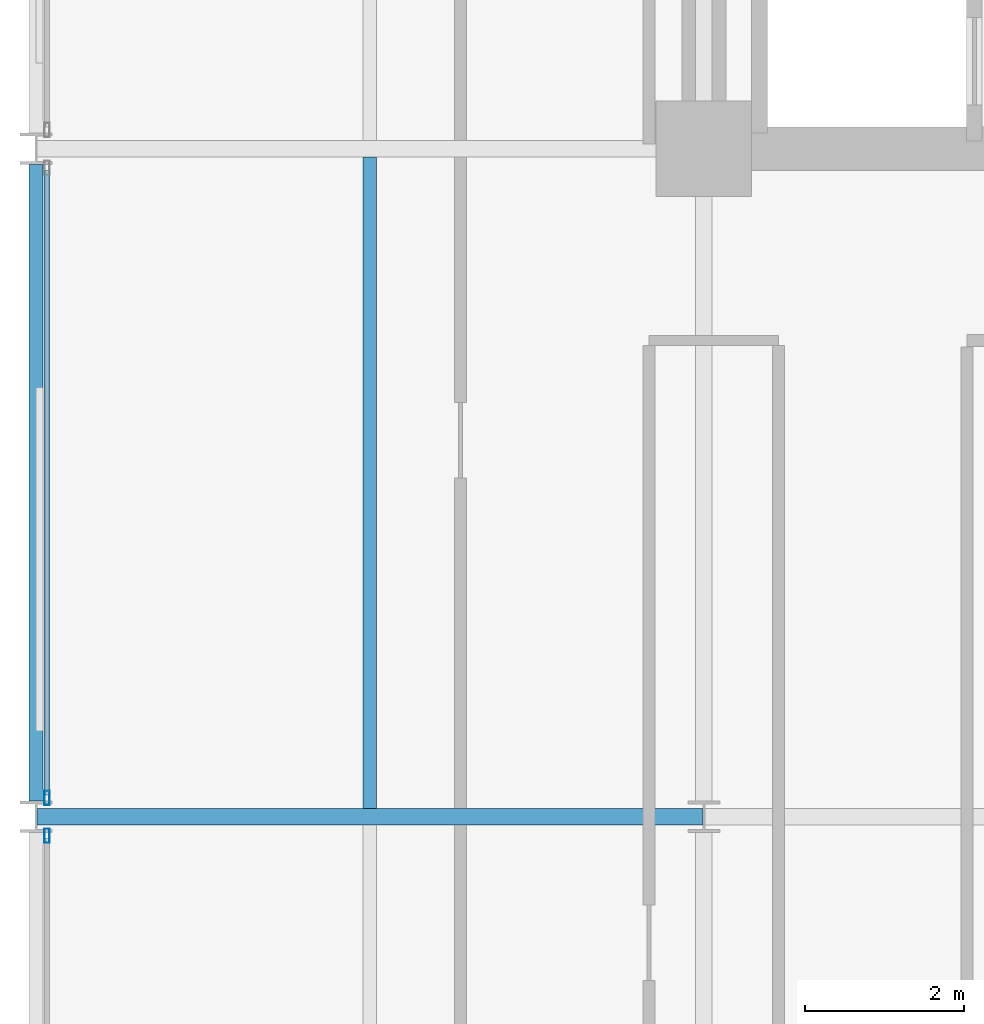
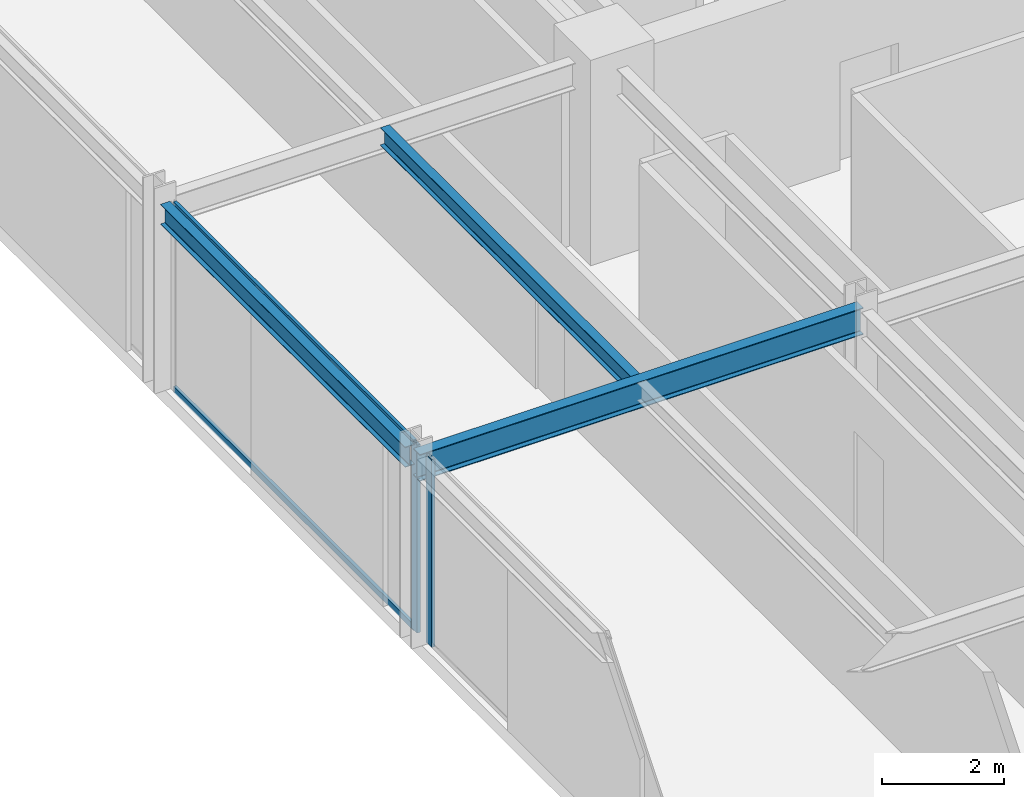
# One storey, part 8 of 29: 4 members, 3 beams, 2 elements without a shape of their own.
"""IFC4 building model written with IfcOpenShell, lengths in metres."""

from ifc_helpers import new_model, si_unit, direction, frame, origin, origin_2d, place, context, subcontext, project, spatial, hollow_rectangle, i_section, extrude, material, layer, layer_set, material_profile, profile_set, type_object, element, aggregate, save


model = new_model("IFC4")

# Units and contexts
model_context = context("Model", 3, precision=1e-05, world=origin(), true_north=direction((0.0, 1.0)))
body_context = subcontext(model_context, "Body", "Model", "MODEL_VIEW")
ifc_project = project(units=[si_unit("LENGTHUNIT", "METRE"), si_unit("AREAUNIT", "SQUARE_METRE"), si_unit("VOLUMEUNIT", "CUBIC_METRE"), si_unit("PLANEANGLEUNIT", "RADIAN"), si_unit("MASSUNIT", "GRAM", prefix="KILO")], contexts=[model_context])

# Site, building, storey
site_placement = place(None, origin())
site = spatial("IfcSite", under=ifc_project, at=site_placement, CompositionType="ELEMENT")
building_placement = place(site_placement, origin())
building = spatial("IfcBuilding", under=site, at=building_placement, Name="Nerrivon Quay Data Exchange", CompositionType="ELEMENT")
storey_placement = place(building_placement, frame((0.0, 0.0, 158.199951171875)))
storey = spatial("IfcBuildingStorey", under=building, at=storey_placement, Name="L37", CompositionType="ELEMENT", Elevation=158.199951171875)

# Beams
ifc_material_1 = material(Name="Steel Grade 350", Category="steel")
ifc_material_profile_1 = material_profile(ifc_material_1, i_section(OverallWidth=0.208984375, OverallDepth=0.532958984375, WebThickness=0.01025390625, FlangeThickness=0.015625, FilletRadius=0.013916015625, at=origin_2d()), Name="530UB92.4")
ifc_profile_set_1 = profile_set([ifc_material_profile_1], Name="Steel Grade 350")
beam_type_1 = type_object("IfcBeamType", Name="BM-G3-530UB92", PredefinedType="BEAM", material=ifc_profile_set_1)
beam_1_placement = place(storey_placement, frame((0.012451171875, 16.800048828125, 3.483642578125), z_axis=(1.0, 0.0, 0.0), x_axis=(0.0, 1.0, 0.0)))
element("IfcBeam", 1, at=beam_1_placement, inside=storey, type_object=beam_type_1, Name="L37 EW Girder Y=16.8 (0.0..8.4)", PredefinedType="BEAM", context=body_context, shape_type="SweptSolid", body=[
    extrude(i_section(OverallWidth=0.208984375, OverallDepth=0.532958984375, WebThickness=0.01025390625, FlangeThickness=0.015625, FilletRadius=0.013916015625, at=origin_2d()), origin(), (0.0, 0.0, 1.0), 8.375),
])
ifc_material_profile_2 = material_profile(ifc_material_1, i_section(OverallWidth=0.1708984375, OverallDepth=0.35595703125, WebThickness=0.00732421875, FlangeThickness=0.011474609375, FilletRadius=0.011474609375, at=origin_2d()), Name="360UB50.7")
ifc_profile_set_2 = profile_set([ifc_material_profile_2], Name="Steel Grade 350")
beam_type_2 = type_object("IfcBeamType", Name="BM-J4-360UB51", PredefinedType="JOIST", material=ifc_profile_set_2)
beam_2_placement = place(storey_placement, frame((4.199951171875, 16.904541015625, 3.572021484375), z_axis=(0.0, 1.0, 0.0), x_axis=(-1.0, 0.0, 0.0)))
element("IfcBeam", 2, at=beam_2_placement, inside=storey, type_object=beam_type_2, Name="L37 Secondary Joist X=4.2 (16.8..25.2)", PredefinedType="JOIST", context=body_context, shape_type="SweptSolid", body=[
    extrude(i_section(OverallWidth=0.1708984375, OverallDepth=0.35595703125, WebThickness=0.00732421875, FlangeThickness=0.011474609375, FilletRadius=0.011474609375, at=origin_2d()), origin(), (0.0, 0.0, 1.0), 8.19091796875),
])
ifc_material_profile_3 = material_profile(ifc_material_1, i_section(OverallWidth=0.177978515625, OverallDepth=0.403076171875, WebThickness=0.007568359375, FlangeThickness=0.010986328125, FilletRadius=0.011474609375, at=origin_2d()), Name="410UB53.7")
ifc_profile_set_3 = profile_set([ifc_material_profile_3], Name="Steel Grade 350")
beam_type_3 = type_object("IfcBeamType", Name="BM-SP2-410UB54", PredefinedType="SPANDREL", material=ifc_profile_set_3)
beam_3_placement = place(storey_placement, frame((0.0, 17.0, 3.548583984375), z_axis=(0.0, 1.0, 0.0), x_axis=(-1.0, 0.0, 0.0)))
element("IfcBeam", 3, at=beam_3_placement, inside=storey, type_object=beam_type_3, Name="L37 NS Girder X=0.0 (16.8..25.2)", PredefinedType="SPANDREL", context=body_context, shape_type="SweptSolid", body=[
    extrude(i_section(OverallWidth=0.177978515625, OverallDepth=0.403076171875, WebThickness=0.007568359375, FlangeThickness=0.010986328125, FilletRadius=0.011474609375, at=origin_2d()), origin(), (0.0, 0.0, 1.0), 8.0),
])

# Curtain wall, member
ifc_material_2 = material(Name="Anodised aluminium 6063-T6", Category="aluminium")
ifc_layer = layer(ifc_material_2, 0.2099609375)
ifc_layer_set = layer_set([ifc_layer], Name="Anodised aluminium 6063-T6")
curtain_wall_type = type_object("IfcCurtainWallType", Name="CW-SYS-02", PredefinedType="NOTDEFINED", material=ifc_layer_set)
curtain_wall_1_placement = place(storey_placement, origin())
curtain_wall_1 = element("IfcCurtainWall", 4, at=curtain_wall_1_placement, inside=storey, type_object=curtain_wall_type, Name="L37 Unitised Curtain Wall 12", PredefinedType="NOTDEFINED")
ifc_material_profile_4 = material_profile(ifc_material_2, hollow_rectangle(XDim=0.06494140625, YDim=0.179931640625, WallThickness=0.00341796875, at=origin_2d()), Name="ALU-MULL-180x65")
ifc_profile_set_4 = profile_set([ifc_material_profile_4], Name="Anodised aluminium 6063-T6")
member_type_1 = type_object("IfcMemberType", Name="CWM-180x65", PredefinedType="MULLION", material=ifc_profile_set_4)
member_1_placement = place(storey_placement, frame((0.139892578125, 16.5625, 0.0), z_axis=(0.0, 0.0, 1.0), x_axis=(-1.0, 0.0, 0.0)))
member_1 = element("IfcMember", 5, at=member_1_placement, type_object=member_type_1, Name="CW02 mullion 2", PredefinedType="MULLION", context=body_context, shape_type="SweptSolid", body=[
    extrude(hollow_rectangle(XDim=0.06494140625, YDim=0.179931640625, WallThickness=0.00341796875, at=origin_2d()), origin(), (0.0, 0.0, 1.0), 3.75),
])
aggregate(curtain_wall_1, [member_1])

# Curtain wall, members
curtain_wall_2_placement = place(storey_placement, origin())
curtain_wall_2 = element("IfcCurtainWall", 6, at=curtain_wall_2_placement, inside=storey, type_object=curtain_wall_type, Name="L37 Unitised Curtain Wall 13", PredefinedType="NOTDEFINED")
member_2_placement = place(storey_placement, frame((0.139892578125, 17.03759765625, 0.0), z_axis=(0.0, 0.0, 1.0), x_axis=(-1.0, 0.0, 0.0)))
member_2 = element("IfcMember", 7, at=member_2_placement, type_object=member_type_1, Name="CW02 mullion 1", PredefinedType="MULLION", context=body_context, shape_type="SweptSolid", body=[
    extrude(hollow_rectangle(XDim=0.06494140625, YDim=0.179931640625, WallThickness=0.00341796875, at=origin_2d()), origin(), (0.0, 0.0, 1.0), 3.75),
])
ifc_material_profile_5 = material_profile(ifc_material_2, hollow_rectangle(XDim=0.06005859375, YDim=0.1201171875, WallThickness=0.003173828125, at=origin_2d()), Name="ALU-TRAN-120x60")
ifc_profile_set_5 = profile_set([ifc_material_profile_5], Name="Anodised aluminium 6063-T6")
member_type_2 = type_object("IfcMemberType", Name="CWT-120x60", PredefinedType="USERDEFINED", material=ifc_profile_set_5)
member_3_placement = place(storey_placement, frame((0.139892578125, 17.074951171875, 0.032470703125), z_axis=(0.0, 1.0, 0.0), x_axis=(-1.0, 0.0, 0.0)))
member_3 = element("IfcMember", 8, at=member_3_placement, type_object=member_type_2, Name="CW02 transom 1.1", ObjectType="TRANSOM", PredefinedType="USERDEFINED", context=body_context, shape_type="SweptSolid", body=[
    extrude(hollow_rectangle(XDim=0.06005859375, YDim=0.1201171875, WallThickness=0.003173828125, at=origin_2d()), origin(), (0.0, 0.0, 1.0), 7.85009765625),
])
member_4_placement = place(storey_placement, frame((0.139892578125, 17.074951171875, 3.717529296875), z_axis=(0.0, 1.0, 0.0), x_axis=(-1.0, 0.0, 0.0)))
member_4 = element("IfcMember", 9, at=member_4_placement, type_object=member_type_2, Name="CW02 transom 1.2", ObjectType="TRANSOM", PredefinedType="USERDEFINED", context=body_context, shape_type="SweptSolid", body=[
    extrude(hollow_rectangle(XDim=0.06005859375, YDim=0.1201171875, WallThickness=0.003173828125, at=origin_2d()), origin(), (0.0, 0.0, 1.0), 7.85009765625),
])
aggregate(curtain_wall_2, [member_2, member_3, member_4])

save(model, "model.ifc")
